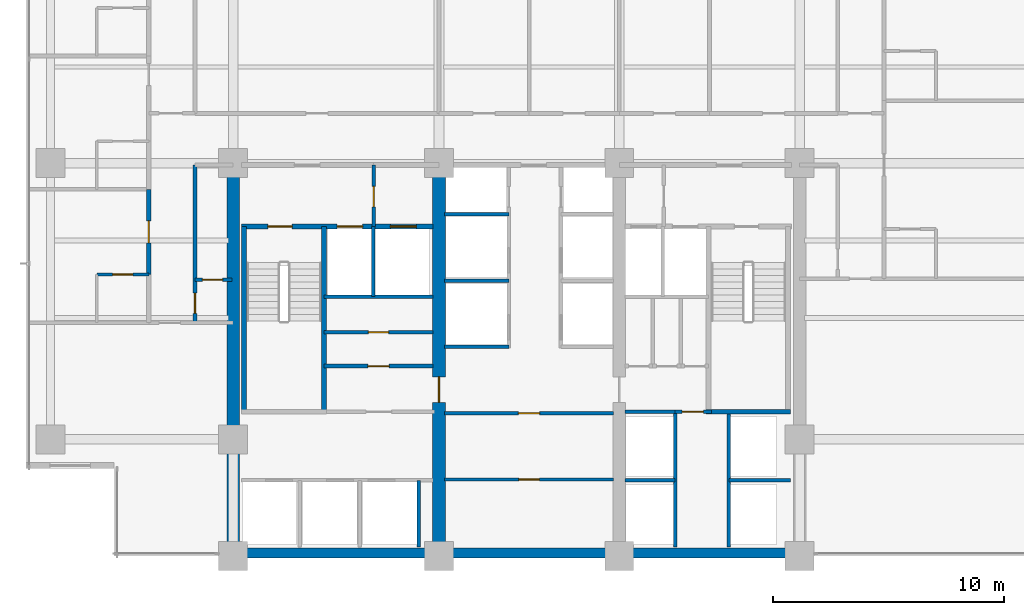
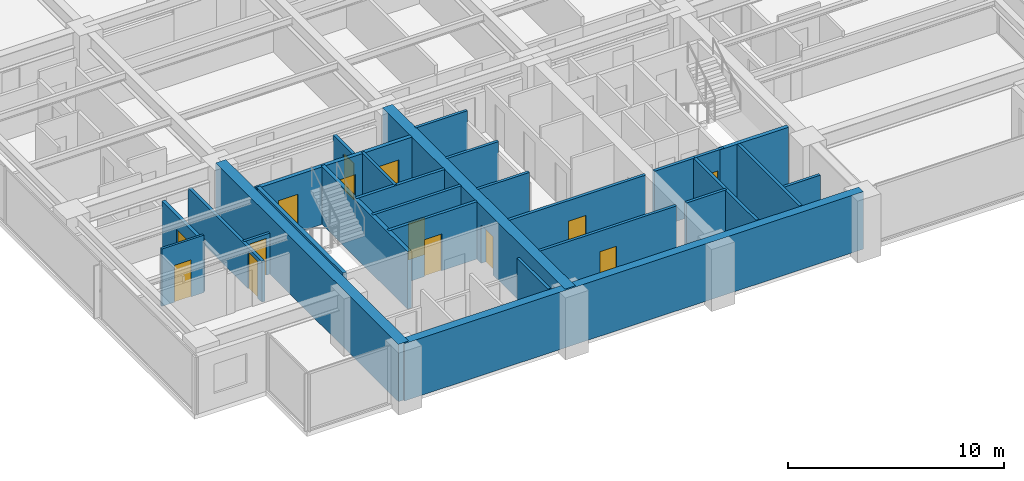
# One storey, part 8 of 17: 28 walls, 14 doors, 14 openings.
"""IFC4 building model written with IfcOpenShell, lengths in metres."""

from ifc_helpers import new_model, si_unit, direction, frame, frame_2d, origin, place, context, subcontext, project, spatial, rectangle, extrude, material, layer, layer_set, type_object, element, fill, save


model = new_model("IFC4")

# Units and contexts
model_context = context("Model", 3, precision=1e-05, world=origin(), true_north=direction((0.0, 1.0)))
body_context = subcontext(model_context, "Body", "Model", "MODEL_VIEW")
ifc_project = project(units=[si_unit("LENGTHUNIT", "METRE"), si_unit("AREAUNIT", "SQUARE_METRE"), si_unit("VOLUMEUNIT", "CUBIC_METRE"), si_unit("PLANEANGLEUNIT", "RADIAN"), si_unit("MASSUNIT", "GRAM", prefix="KILO")], contexts=[model_context])

# Site, building, storey
site_placement = place(None, origin())
site = spatial("IfcSite", under=ifc_project, at=site_placement, CompositionType="ELEMENT")
building_placement = place(site_placement, origin())
building = spatial("IfcBuilding", under=site, at=building_placement, Name="Qalmaran Belvedere Hotel", CompositionType="ELEMENT")
storey_placement = place(building_placement, frame((0.0, 0.0, 116.199951171875)))
storey = spatial("IfcBuildingStorey", under=building, at=storey_placement, Name="L29", CompositionType="ELEMENT", Elevation=116.199951171875)

# Wall
ifc_material_1 = material(Name="Concrete C60/75", Category="concrete")
ifc_layer_1 = layer(ifc_material_1, 0.550048828125, Name="Concrete C60/75")
ifc_layer_set_1 = layer_set([ifc_layer_1], Name="Concrete C60/75")
wall_type_1 = type_object("IfcWallType", Name="WL-CORE-550-C60", PredefinedType="SHEAR", material=ifc_layer_set_1)
wall_1_placement = place(storey_placement, frame((20.300048828125, 3.5, 0.0), z_axis=(0.0, 0.0, 1.0), x_axis=(0.0, 1.0, 0.0)))
element("IfcWall", 1, at=wall_1_placement, inside=storey, type_object=wall_type_1, Name="L29 West Core Shear Wall", PredefinedType="SHEAR", context=body_context, shape_type="SweptSolid", body=[
    extrude(rectangle(XDim=16.89990234375, YDim=0.550048828125, at=frame_2d((8.449951171875, 0.0))), origin(), (0.0, 0.0, 1.0), 3.239990234375),
])

# Wall, opening, door
wall_2_placement = place(storey_placement, frame((29.199951171875, 3.5, 0.0), z_axis=(0.0, 0.0, 1.0), x_axis=(0.0, 1.0, 0.0)))
wall_2 = element("IfcWall", 2, at=wall_2_placement, inside=storey, type_object=wall_type_1, Name="L29 Core West Spine Shear Wall", PredefinedType="SHEAR", context=body_context, shape_type="SweptSolid", body=[
    extrude(rectangle(XDim=16.89990234375, YDim=0.550048828125, at=frame_2d((8.449951171875, 0.0))), origin(), (0.0, 0.0, 1.0), 3.239990234375),
])
opening_1_placement = place(wall_2_placement, frame((7.75, 0.0, 0.0), z_axis=(0.0, 0.0, 1.0), x_axis=(-1.0, 0.0, 0.0)))
opening_1 = element("IfcOpeningElement", 3, at=opening_1_placement, cuts=wall_2, Name="Opening FD90", PredefinedType="OPENING", context=body_context, shape_type="SweptSolid", body=[
    extrude(rectangle(XDim=1.10009765625, YDim=2.14990234375, at=frame_2d((0.550048828125, 1.074951171875))), frame((0.0, 0.28515625, 0.0), z_axis=(0.0, -1.0, 0.0), x_axis=(1.0, 0.0, 0.0)), (0.0, 0.0, 1.0), 0.570068359375),
])
ifc_material_2 = material(Name="Steel S355JR", Category="steel")
door_type_1 = type_object("IfcDoorType", Name="DR-FD90-1100X2150", OperationType="NOTDEFINED", PredefinedType="DOOR", material=ifc_material_2)
door_1_placement = place(opening_1_placement, origin())
door_1 = element("IfcDoor", 4, at=door_1_placement, inside=storey, type_object=door_type_1, Name="L29 Core West Cross-Lobby Door", OperationType="SINGLE_SWING_LEFT", OverallHeight=2.14990234375, OverallWidth=1.10009765625, PredefinedType="DOOR", context=body_context, shape_type="SweptSolid", body=[
    extrude(rectangle(XDim=1.10009765625, YDim=2.14990234375, at=frame_2d((0.550048828125, 1.074951171875))), frame((0.0, 0.02490234375, 0.0), z_axis=(0.0, -1.0, 0.0), x_axis=(1.0, 0.0, 0.0)), (0.0, 0.0, 1.0), 0.050048828125),
])
fill(opening_1, door_1)

# Wall
ifc_material_3 = material(Name="Concrete C50/60", Category="concrete")
ifc_layer_2 = layer(ifc_material_3, 0.43994140625, Name="Concrete C50/60")
ifc_layer_set_2 = layer_set([ifc_layer_2], Name="Concrete C50/60")
wall_type_2 = type_object("IfcWallType", Name="WL-CORES-440-EXT", PredefinedType="SHEAR", material=ifc_layer_set_2)
wall_3_placement = place(storey_placement, frame((20.300048828125, 3.6298828125, 0.0), z_axis=(0.0, 0.0, 1.0), x_axis=(1.0, 0.0, 0.0)))
element("IfcWall", 5, at=wall_3_placement, inside=storey, type_object=wall_type_2, Name="L29 South Core Shear Wall", PredefinedType="SHEAR", context=body_context, shape_type="SweptSolid", body=[
    extrude(rectangle(XDim=24.5, YDim=0.43994140625, at=frame_2d((12.25, 0.0))), origin(), (0.0, 0.0, 1.0), 3.239990234375),
])

# Wall, opening, door
ifc_material_4 = material(Name="Moisture-Resistant Gypsum")
ifc_layer_3 = layer(ifc_material_4, 0.1201171875, Name="Moisture-Resistant Gypsum")
ifc_layer_set_3 = layer_set([ifc_layer_3], Name="Moisture-Resistant Gypsum")
wall_type_3 = type_object("IfcWallType", Name="WL-INT-120-BATH", PredefinedType="PARTITIONING", material=ifc_layer_set_3)
wall_4_placement = place(storey_placement, frame((14.39990234375, 15.679931640625, 0.0), z_axis=(0.0, 0.0, 1.0), x_axis=(1.0, 0.0, 0.0)))
wall_4 = element("IfcWall", 6, at=wall_4_placement, inside=storey, type_object=wall_type_3, Name="L29 Partition WL-L29-WBN00", PredefinedType="PARTITIONING", context=body_context, shape_type="SweptSolid", body=[
    extrude(rectangle(XDim=2.25, YDim=0.1201171875, at=frame_2d((1.125, 0.0))), origin(), (0.0, 0.0, 1.0), 3.239990234375),
])
opening_2_placement = place(wall_4_placement, frame((1.56494140625, 0.0, 0.0), z_axis=(0.0, 0.0, 1.0), x_axis=(-1.0, 0.0, 0.0)))
opening_2 = element("IfcOpeningElement", 7, at=opening_2_placement, cuts=wall_4, Name="Opening D-BATH", PredefinedType="OPENING", context=body_context, shape_type="SweptSolid", body=[
    extrude(rectangle(XDim=0.8798828125, YDim=2.080078125, at=frame_2d((0.43994140625, 1.0400390625))), frame((0.0, 0.070068359375, 0.0), z_axis=(0.0, -1.0, 0.0), x_axis=(1.0, 0.0, 0.0)), (0.0, 0.0, 1.0), 0.14013671875),
])
ifc_material_5 = material(Name="Engineered Oak Veneer")
door_type_2 = type_object("IfcDoorType", Name="DR-INT-BATH-880X2080", OperationType="NOTDEFINED", PredefinedType="DOOR", material=ifc_material_5)
door_2_placement = place(opening_2_placement, origin())
door_2 = element("IfcDoor", 8, at=door_2_placement, inside=storey, type_object=door_type_2, Name="L29 W Ensuite Door 01", OperationType="SINGLE_SWING_RIGHT", OverallHeight=2.080078125, OverallWidth=0.8798828125, PredefinedType="DOOR", context=body_context, shape_type="SweptSolid", body=[
    extrude(rectangle(XDim=0.8798828125, YDim=2.080078125, at=frame_2d((0.43994140625, 1.0400390625))), frame((0.0, 0.02490234375, 0.0), z_axis=(0.0, -1.0, 0.0), x_axis=(1.0, 0.0, 0.0)), (0.0, 0.0, 1.0), 0.050048828125),
])
fill(opening_2, door_2)

ifc_material_6 = material(Name="Gypsum Stud Partition")
ifc_layer_4 = layer(ifc_material_6, 0.139892578125, Name="Gypsum Stud Partition")
ifc_layer_set_4 = layer_set([ifc_layer_4], Name="Gypsum Stud Partition")
wall_type_4 = type_object("IfcWallType", Name="WL-INT-140-NR", PredefinedType="PARTITIONING", material=ifc_layer_set_4)
wall_5_placement = place(storey_placement, frame((18.64990234375, 15.449951171875, 0.0), z_axis=(0.0, 0.0, 1.0), x_axis=(1.0, 0.0, 0.0)))
wall_5 = element("IfcWall", 9, at=wall_5_placement, inside=storey, type_object=wall_type_4, Name="L29 Partition WL-L29-WCLSUB", PredefinedType="PARTITIONING", context=body_context, shape_type="SweptSolid", body=[
    extrude(rectangle(XDim=1.60009765625, YDim=0.139892578125, at=frame_2d((0.800048828125, 0.0))), origin(), (0.0, 0.0, 1.0), 2.31298828125),
])
opening_3_placement = place(wall_5_placement, frame((1.193115234375, 0.0, 0.0), z_axis=(0.0, 0.0, 1.0), x_axis=(-1.0, 0.0, 0.0)))
opening_3 = element("IfcOpeningElement", 10, at=opening_3_placement, cuts=wall_5, Name="Opening D-BATH", PredefinedType="OPENING", context=body_context, shape_type="SweptSolid", body=[
    extrude(rectangle(XDim=0.8798828125, YDim=2.080078125, at=frame_2d((0.43994140625, 1.0400390625))), frame((0.0, 0.080078125, 0.0), z_axis=(0.0, -1.0, 0.0), x_axis=(1.0, 0.0, 0.0)), (0.0, 0.0, 1.0), 0.159912109375),
])
door_3_placement = place(opening_3_placement, origin())
door_3 = element("IfcDoor", 11, at=door_3_placement, inside=storey, type_object=door_type_2, Name="L29 Closet Alcove Door", OperationType="SINGLE_SWING_LEFT", OverallHeight=2.080078125, OverallWidth=0.8798828125, PredefinedType="DOOR", context=body_context, shape_type="SweptSolid", body=[
    extrude(rectangle(XDim=0.8798828125, YDim=2.080078125, at=frame_2d((0.43994140625, 1.0400390625))), frame((0.0, 0.02490234375, 0.0), z_axis=(0.0, -1.0, 0.0), x_axis=(1.0, 0.0, 0.0)), (0.0, 0.0, 1.0), 0.050048828125),
])
fill(opening_3, door_3)

# Walls
ifc_layer_5 = layer(ifc_material_6, 0.14990234375, Name="Gypsum Stud Partition")
ifc_layer_set_5 = layer_set([ifc_layer_5], Name="Gypsum Stud Partition")
wall_type_5 = type_object("IfcWallType", Name="WL-INT-150-EI120", PredefinedType="PARTITIONING", material=ifc_layer_set_5)
wall_6_placement = place(storey_placement, frame((26.360107421875, 14.719970703125, 0.0), z_axis=(0.0, 0.0, 1.0), x_axis=(0.0, 1.0, 0.0)))
element("IfcWall", 12, at=wall_6_placement, inside=storey, type_object=wall_type_5, Name="L29 Partition WL-FF1M-L29", PredefinedType="PARTITIONING", context=body_context, shape_type="SweptSolid", body=[
    extrude(rectangle(XDim=3.0400390625, YDim=0.14990234375, at=frame_2d((1.52001953125, 0.0))), origin(), (0.0, 0.0, 1.0), 3.239990234375),
])
wall_7_placement = place(storey_placement, frame((28.320068359375, 3.89990234375, 0.0), z_axis=(0.0, 0.0, 1.0), x_axis=(0.0, 1.0, 0.0)))
element("IfcWall", 13, at=wall_7_placement, inside=storey, type_object=wall_type_5, Name="L29 Partition WL-POM3-L29", PredefinedType="PARTITIONING", context=body_context, shape_type="SweptSolid", body=[
    extrude(rectangle(XDim=2.880126953125, YDim=0.14990234375, at=frame_2d((1.43994140625, 0.0))), origin(), (0.0, 0.0, 1.0), 3.239990234375),
])
wall_8_placement = place(storey_placement, frame((37.25, 6.780029296875, 0.0), z_axis=(0.0, 0.0, 1.0), x_axis=(1.0, 0.0, 0.0)))
element("IfcWall", 14, at=wall_8_placement, inside=storey, type_object=wall_type_5, Name="L29 Partition WL-PHMW-L29", PredefinedType="PARTITIONING", context=body_context, shape_type="SweptSolid", body=[
    extrude(rectangle(XDim=2.169921875, YDim=0.14990234375, at=frame_2d((1.0849609375, 0.0))), origin(), (0.0, 0.0, 1.0), 3.239990234375),
])
wall_9_placement = place(storey_placement, frame((41.739990234375, 6.780029296875, 0.0), z_axis=(0.0, 0.0, 1.0), x_axis=(1.0, 0.0, 0.0)))
element("IfcWall", 15, at=wall_9_placement, inside=storey, type_object=wall_type_5, Name="L29 Partition WL-PHME-L29", PredefinedType="PARTITIONING", context=body_context, shape_type="SweptSolid", body=[
    extrude(rectangle(XDim=2.659912109375, YDim=0.14990234375, at=frame_2d((1.330078125, 0.0))), origin(), (0.0, 0.0, 1.0), 2.31298828125),
])
for number, where, z_axis, x_axis, name in (
    (16, (29.449951171875, 12.550048828125, 0.0), (0.0, 0.0, 1.0), (1.0, 0.0, 0.0), "L29 Partition WL-PMW-L29-125"),
    (17, (29.449951171875, 15.419921875, 0.0), (0.0, 0.0, 1.0), (1.0, 0.0, 0.0), "L29 Partition WL-PMW-L29-154"),
    (18, (29.449951171875, 18.280029296875, 0.0), (0.0, 0.0, 1.0), (1.0, 0.0, 0.0), "L29 Partition WL-PMW-L29-182"),
):
    element("IfcWall", number, at=place(storey_placement, frame(where, z_axis=z_axis, x_axis=x_axis)), inside=storey, type_object=wall_type_5, Name=name, PredefinedType="PARTITIONING", context=body_context, shape_type="SweptSolid", body=[
        extrude(rectangle(XDim=2.77001953125, YDim=0.14990234375, at=frame_2d((1.385009765625, 0.0))), origin(), (0.0, 0.0, 1.0), 3.239990234375),
    ])

# Wall, opening, door
ifc_layer_6 = layer(ifc_material_6, 0.14990234375, Name="Gypsum Stud Partition")
ifc_layer_set_6 = layer_set([ifc_layer_6], Name="Gypsum Stud Partition")
wall_type_6 = type_object("IfcWallType", Name="WL-INT-150-EI60", PredefinedType="PARTITIONING", material=ifc_layer_set_6)
wall_10_placement = place(storey_placement, frame((24.219970703125, 13.18505859375, 0.0), z_axis=(0.0, 0.0, 1.0), x_axis=(1.0, 0.0, 0.0)))
wall_10 = element("IfcWall", 19, at=wall_10_placement, inside=storey, type_object=wall_type_6, Name="L29 Partition WL-L29-KWHM", PredefinedType="PARTITIONING", context=body_context, shape_type="SweptSolid", body=[
    extrude(rectangle(XDim=4.72998046875, YDim=0.14990234375, at=frame_2d((2.364990234375, 0.0))), origin(), (0.0, 0.0, 1.0), 3.239990234375),
])
opening_4_placement = place(wall_10_placement, frame((1.925048828125, 0.0, 0.0)))
opening_4 = element("IfcOpeningElement", 20, at=opening_4_placement, cuts=wall_10, Name="Opening FD60B", PredefinedType="OPENING", context=body_context, shape_type="SweptSolid", body=[
    extrude(rectangle(XDim=0.8798828125, YDim=2.080078125, at=frame_2d((0.43994140625, 1.0400390625))), frame((0.0, 0.0849609375, 0.0), z_axis=(0.0, -1.0, 0.0), x_axis=(1.0, 0.0, 0.0)), (0.0, 0.0, 1.0), 0.169921875),
])
door_type_3 = type_object("IfcDoorType", Name="DR-FD60B-880X2080", OperationType="NOTDEFINED", PredefinedType="DOOR", material=ifc_material_2)
door_4_placement = place(opening_4_placement, origin())
door_4 = element("IfcDoor", 21, at=door_4_placement, inside=storey, type_object=door_type_3, Name="L29 Staff Core WC Door", OperationType="SINGLE_SWING_LEFT", OverallHeight=2.080078125, OverallWidth=0.8798828125, PredefinedType="DOOR", context=body_context, shape_type="SweptSolid", body=[
    extrude(rectangle(XDim=0.8798828125, YDim=2.080078125, at=frame_2d((0.43994140625, 1.0400390625))), frame((0.0, 0.02490234375, 0.0), z_axis=(0.0, -1.0, 0.0), x_axis=(1.0, 0.0, 0.0)), (0.0, 0.0, 1.0), 0.050048828125),
])
fill(opening_4, door_4)

wall_11_placement = place(storey_placement, frame((29.449951171875, 6.81494140625, 0.0), z_axis=(0.0, 0.0, 1.0), x_axis=(1.0, 0.0, 0.0)))
wall_11 = element("IfcWall", 22, at=wall_11_placement, inside=storey, type_object=wall_type_6, Name="L29 Partition WL-L29-KPLHM", PredefinedType="PARTITIONING", context=body_context, shape_type="SweptSolid", body=[
    extrude(rectangle(XDim=7.300048828125, YDim=0.14990234375, at=frame_2d((3.64990234375, 0.0))), origin(), (0.0, 0.0, 1.0), 3.239990234375),
])
opening_5_placement = place(wall_11_placement, frame((4.08984375, 0.0, 0.0), z_axis=(0.0, 0.0, 1.0), x_axis=(-1.0, 0.0, 0.0)))
opening_5 = element("IfcOpeningElement", 23, at=opening_5_placement, cuts=wall_11, Name="Opening FD60B", PredefinedType="OPENING", context=body_context, shape_type="SweptSolid", body=[
    extrude(rectangle(XDim=0.8798828125, YDim=2.080078125, at=frame_2d((0.43994140625, 1.0400390625))), frame((0.0, 0.0849609375, 0.0), z_axis=(0.0, -1.0, 0.0), x_axis=(1.0, 0.0, 0.0)), (0.0, 0.0, 1.0), 0.169921875),
])
door_5_placement = place(opening_5_placement, origin())
door_5 = element("IfcDoor", 24, at=door_5_placement, inside=storey, type_object=door_type_3, Name="L29 Housekeeping and Linen Room Door", OperationType="SINGLE_SWING_RIGHT", OverallHeight=2.080078125, OverallWidth=0.8798828125, PredefinedType="DOOR", context=body_context, shape_type="SweptSolid", body=[
    extrude(rectangle(XDim=0.8798828125, YDim=2.080078125, at=frame_2d((0.43994140625, 1.0400390625))), frame((0.0, 0.02490234375, 0.0), z_axis=(0.0, -1.0, 0.0), x_axis=(1.0, 0.0, 0.0)), (0.0, 0.0, 1.0), 0.050048828125),
])
fill(opening_5, door_5)

ifc_layer_7 = layer(ifc_material_6, 0.159912109375, Name="Gypsum Stud Partition")
ifc_layer_set_7 = layer_set([ifc_layer_7], Name="Gypsum Stud Partition")
wall_type_7 = type_object("IfcWallType", Name="WL-INT-160-EI120", PredefinedType="PARTITIONING", material=ifc_layer_set_7)
wall_12_placement = place(storey_placement, frame((26.3798828125, 17.760009765625, 0.0), z_axis=(0.0, 0.0, 1.0), x_axis=(0.0, 1.0, 0.0)))
wall_12 = element("IfcWall", 25, at=wall_12_placement, inside=storey, type_object=wall_type_7, Name="L29 Partition WL-FFSV1-L29", PredefinedType="PARTITIONING", context=body_context, shape_type="SweptSolid", body=[
    extrude(rectangle(XDim=2.659912109375, YDim=0.159912109375, at=frame_2d((1.330078125, 0.0))), origin(), (0.0, 0.0, 1.0), 2.614013671875),
])
opening_6_placement = place(wall_12_placement, frame((0.85009765625, 0.0, 0.0)))
opening_6 = element("IfcOpeningElement", 26, at=opening_6_placement, cuts=wall_12, Name="Opening FD60B", PredefinedType="OPENING", context=body_context, shape_type="SweptSolid", body=[
    extrude(rectangle(XDim=0.8798828125, YDim=2.080078125, at=frame_2d((0.43994140625, 1.0400390625))), frame((0.0, 0.08984375, 0.0), z_axis=(0.0, -1.0, 0.0), x_axis=(1.0, 0.0, 0.0)), (0.0, 0.0, 1.0), 0.179931640625),
])
door_6_placement = place(opening_6_placement, origin())
door_6 = element("IfcDoor", 27, at=door_6_placement, inside=storey, type_object=door_type_3, Name="L29 Service Lobby West Door", OperationType="SINGLE_SWING_LEFT", OverallHeight=2.080078125, OverallWidth=0.8798828125, PredefinedType="DOOR", context=body_context, shape_type="SweptSolid", body=[
    extrude(rectangle(XDim=0.8798828125, YDim=2.080078125, at=frame_2d((0.43994140625, 1.0400390625))), frame((0.0, 0.02490234375, 0.0), z_axis=(0.0, -1.0, 0.0), x_axis=(1.0, 0.0, 0.0)), (0.0, 0.0, 1.0), 0.050048828125),
])
fill(opening_6, door_6)

# Walls
wall_13_placement = place(storey_placement, frame((24.219970703125, 14.719970703125, 0.0), z_axis=(0.0, 0.0, 1.0), x_axis=(1.0, 0.0, 0.0)))
element("IfcWall", 28, at=wall_13_placement, inside=storey, type_object=wall_type_7, Name="L29 Partition WL-FF1S-L29", PredefinedType="PARTITIONING", context=body_context, shape_type="SweptSolid", body=[
    extrude(rectangle(XDim=4.72998046875, YDim=0.159912109375, at=frame_2d((2.364990234375, 0.0))), origin(), (0.0, 0.0, 1.0), 3.239990234375),
])
for number, where, z_axis, x_axis, name in (
    (29, (39.419921875, 3.89990234375, 0.0), (0.0, 0.0, 1.0), (0.0, 1.0, 0.0), "L29 Partition WL-PHW-L29"),
    (30, (41.739990234375, 3.89990234375, 0.0), (0.0, 0.0, 1.0), (0.0, 1.0, 0.0), "L29 Partition WL-PHE-L29"),
):
    element("IfcWall", number, at=place(storey_placement, frame(where, z_axis=z_axis, x_axis=x_axis)), inside=storey, type_object=wall_type_7, Name=name, PredefinedType="PARTITIONING", context=body_context, shape_type="SweptSolid", body=[
        extrude(rectangle(XDim=5.840087890625, YDim=0.159912109375, at=frame_2d((2.919921875, 0.0))), origin(), (0.0, 0.0, 1.0), 3.239990234375),
    ])
wall_14_placement = place(storey_placement, frame((37.25, 9.739990234375, 0.0), z_axis=(0.0, 0.0, 1.0), x_axis=(1.0, 0.0, 0.0)))
element("IfcWall", 31, at=wall_14_placement, inside=storey, type_object=wall_type_7, Name="L29 Partition WL-PHNW-L29", PredefinedType="PARTITIONING", context=body_context, shape_type="SweptSolid", body=[
    extrude(rectangle(XDim=2.169921875, YDim=0.159912109375, at=frame_2d((1.0849609375, 0.0))), origin(), (0.0, 0.0, 1.0), 3.239990234375),
])

# Wall, opening, door
wall_15_placement = place(storey_placement, frame((39.419921875, 9.739990234375, 0.0), z_axis=(0.0, 0.0, 1.0), x_axis=(1.0, 0.0, 0.0)))
wall_15 = element("IfcWall", 32, at=wall_15_placement, inside=storey, type_object=wall_type_7, Name="L29 Partition WL-PHNL-L29", PredefinedType="PARTITIONING", context=body_context, shape_type="SweptSolid", body=[
    extrude(rectangle(XDim=1.56005859375, YDim=0.159912109375, at=frame_2d((0.780029296875, 0.0))), origin(), (0.0, 0.0, 1.0), 3.239990234375),
])
opening_7_placement = place(wall_15_placement, frame((0.300048828125, 0.0, 0.0)))
opening_7 = element("IfcOpeningElement", 33, at=opening_7_placement, cuts=wall_15, Name="Opening FD60S1", PredefinedType="OPENING", context=body_context, shape_type="SweptSolid", body=[
    extrude(rectangle(XDim=0.919921875, YDim=2.080078125, at=frame_2d((0.4599609375, 1.0400390625))), frame((0.0, 0.08984375, 0.0), z_axis=(0.0, -1.0, 0.0), x_axis=(1.0, 0.0, 0.0)), (0.0, 0.0, 1.0), 0.179931640625),
])
door_type_4 = type_object("IfcDoorType", Name="DR-FD60S-920X2080", OperationType="NOTDEFINED", PredefinedType="DOOR", material=ifc_material_5)
door_7_placement = place(opening_7_placement, origin())
door_7 = element("IfcDoor", 34, at=door_7_placement, inside=storey, type_object=door_type_4, Name="L29 High-Rise Lift Lobby Passage Door", OperationType="SINGLE_SWING_RIGHT", OverallHeight=2.080078125, OverallWidth=0.919921875, PredefinedType="DOOR", context=body_context, shape_type="SweptSolid", body=[
    extrude(rectangle(XDim=0.919921875, YDim=2.080078125, at=frame_2d((0.4599609375, 1.0400390625))), frame((0.0, 0.02490234375, 0.0), z_axis=(0.0, -1.0, 0.0), x_axis=(1.0, 0.0, 0.0)), (0.0, 0.0, 1.0), 0.050048828125),
])
fill(opening_7, door_7)

ifc_layer_8 = layer(ifc_material_6, 0.159912109375, Name="Gypsum Stud Partition")
ifc_layer_set_8 = layer_set([ifc_layer_8], Name="Gypsum Stud Partition")
wall_type_8 = type_object("IfcWallType", Name="WL-INT-160-EI60", PredefinedType="PARTITIONING", material=ifc_layer_set_8)
wall_16_placement = place(storey_placement, frame((24.219970703125, 11.719970703125, 0.0), z_axis=(0.0, 0.0, 1.0), x_axis=(1.0, 0.0, 0.0)))
wall_16 = element("IfcWall", 35, at=wall_16_placement, inside=storey, type_object=wall_type_8, Name="L29 Partition WL-L29-KWE1", PredefinedType="PARTITIONING", context=body_context, shape_type="SweptSolid", body=[
    extrude(rectangle(XDim=4.72998046875, YDim=0.159912109375, at=frame_2d((2.364990234375, 0.0))), origin(), (0.0, 0.0, 1.0), 3.239990234375),
])
opening_8_placement = place(wall_16_placement, frame((1.905029296875, 0.0, 0.0)))
opening_8 = element("IfcOpeningElement", 36, at=opening_8_placement, cuts=wall_16, Name="Opening FD60S1", PredefinedType="OPENING", context=body_context, shape_type="SweptSolid", body=[
    extrude(rectangle(XDim=0.919921875, YDim=2.080078125, at=frame_2d((0.4599609375, 1.0400390625))), frame((0.0, 0.08984375, 0.0), z_axis=(0.0, -1.0, 0.0), x_axis=(1.0, 0.0, 0.0)), (0.0, 0.0, 1.0), 0.179931640625),
])
door_8_placement = place(opening_8_placement, origin())
door_8 = element("IfcDoor", 37, at=door_8_placement, inside=storey, type_object=door_type_4, Name="L29 Cleaner Supply Store Door", OperationType="SINGLE_SWING_RIGHT", OverallHeight=2.080078125, OverallWidth=0.919921875, PredefinedType="DOOR", context=body_context, shape_type="SweptSolid", body=[
    extrude(rectangle(XDim=0.919921875, YDim=2.080078125, at=frame_2d((0.4599609375, 1.0400390625))), frame((0.0, 0.02490234375, 0.0), z_axis=(0.0, -1.0, 0.0), x_axis=(1.0, 0.0, 0.0)), (0.0, 0.0, 1.0), 0.050048828125),
])
fill(opening_8, door_8)

wall_17_placement = place(storey_placement, frame((29.449951171875, 9.679931640625, 0.0), z_axis=(0.0, 0.0, 1.0), x_axis=(1.0, 0.0, 0.0)))
wall_17 = element("IfcWall", 38, at=wall_17_placement, inside=storey, type_object=wall_type_8, Name="L29 Partition WL-L29-KPLE1", PredefinedType="PARTITIONING", context=body_context, shape_type="SweptSolid", body=[
    extrude(rectangle(XDim=7.300048828125, YDim=0.159912109375, at=frame_2d((3.64990234375, 0.0))), origin(), (0.0, 0.0, 1.0), 3.239990234375),
])
opening_9_placement = place(wall_17_placement, frame((4.10986328125, 0.0, 0.0), z_axis=(0.0, 0.0, 1.0), x_axis=(-1.0, 0.0, 0.0)))
opening_9 = element("IfcOpeningElement", 39, at=opening_9_placement, cuts=wall_17, Name="Opening FD60S1", PredefinedType="OPENING", context=body_context, shape_type="SweptSolid", body=[
    extrude(rectangle(XDim=0.919921875, YDim=2.080078125, at=frame_2d((0.4599609375, 1.0400390625))), frame((0.0, 0.08984375, 0.0), z_axis=(0.0, -1.0, 0.0), x_axis=(1.0, 0.0, 0.0)), (0.0, 0.0, 1.0), 0.179931640625),
])
door_9_placement = place(opening_9_placement, origin())
door_9 = element("IfcDoor", 40, at=door_9_placement, inside=storey, type_object=door_type_4, Name="L29 Guest Valet Supply Store Door", OperationType="SINGLE_SWING_LEFT", OverallHeight=2.080078125, OverallWidth=0.919921875, PredefinedType="DOOR", context=body_context, shape_type="SweptSolid", body=[
    extrude(rectangle(XDim=0.919921875, YDim=2.080078125, at=frame_2d((0.4599609375, 1.0400390625))), frame((0.0, 0.02490234375, 0.0), z_axis=(0.0, -1.0, 0.0), x_axis=(1.0, 0.0, 0.0)), (0.0, 0.0, 1.0), 0.050048828125),
])
fill(opening_9, door_9)

wall_18_placement = place(storey_placement, frame((18.64990234375, 13.60009765625, 0.0), z_axis=(0.0, 0.0, 1.0), x_axis=(0.0, 1.0, 0.0)))
wall_18 = element("IfcWall", 41, at=wall_18_placement, inside=storey, type_object=wall_type_8, Name="L29 Partition WL-L29-WCL", PredefinedType="PARTITIONING", context=body_context, shape_type="SweptSolid", body=[
    extrude(rectangle(XDim=6.81982421875, YDim=0.159912109375, at=frame_2d((3.409912109375, 0.0))), origin(), (0.0, 0.0, 1.0), 2.31298828125),
])
opening_10_placement = place(wall_18_placement, frame((1.27978515625, 0.0, 0.0), z_axis=(0.0, 0.0, 1.0), x_axis=(-1.0, 0.0, 0.0)))
opening_10 = element("IfcOpeningElement", 42, at=opening_10_placement, cuts=wall_18, Name="Opening FD60B", PredefinedType="OPENING", context=body_context, shape_type="SweptSolid", body=[
    extrude(rectangle(XDim=0.8798828125, YDim=2.080078125, at=frame_2d((0.43994140625, 1.0400390625))), frame((0.0, 0.08984375, 0.0), z_axis=(0.0, -1.0, 0.0), x_axis=(1.0, 0.0, 0.0)), (0.0, 0.0, 1.0), 0.179931640625),
])
door_10_placement = place(opening_10_placement, origin())
door_10 = element("IfcDoor", 43, at=door_10_placement, inside=storey, type_object=door_type_3, Name="L29 West Closet Door", OperationType="SINGLE_SWING_LEFT", OverallHeight=2.080078125, OverallWidth=0.8798828125, PredefinedType="DOOR", context=body_context, shape_type="SweptSolid", body=[
    extrude(rectangle(XDim=0.8798828125, YDim=2.080078125, at=frame_2d((0.43994140625, 1.0400390625))), frame((0.0, 0.02490234375, 0.0), z_axis=(0.0, -1.0, 0.0), x_axis=(1.0, 0.0, 0.0)), (0.0, 0.0, 1.0), 0.050048828125),
])
fill(opening_10, door_10)

ifc_layer_9 = layer(ifc_material_6, 0.179931640625, Name="Gypsum Stud Partition")
ifc_layer_set_9 = layer_set([ifc_layer_9], Name="Gypsum Stud Partition")
wall_type_9 = type_object("IfcWallType", Name="WL-INT-180-EI60", PredefinedType="PARTITIONING", material=ifc_layer_set_9)
wall_19_placement = place(storey_placement, frame((16.64990234375, 15.679931640625, 0.0), z_axis=(0.0, 0.0, 1.0), x_axis=(0.0, 1.0, 0.0)))
wall_19 = element("IfcWall", 44, at=wall_19_placement, inside=storey, type_object=wall_type_9, Name="L29 Partition WL-L29-WEC00", PredefinedType="PARTITIONING", context=body_context, shape_type="SweptSolid", body=[
    extrude(rectangle(XDim=3.686767578125, YDim=0.179931640625, at=frame_2d((1.84326171875, 0.0))), origin(), (0.0, 0.0, 1.0), 2.922119140625),
])
opening_11_placement = place(wall_19_placement, frame((1.368408203125, 0.0, 0.0)))
opening_11 = element("IfcOpeningElement", 45, at=opening_11_placement, cuts=wall_19, Name="Opening FD60", PredefinedType="OPENING", context=body_context, shape_type="SweptSolid", body=[
    extrude(rectangle(XDim=0.949951171875, YDim=2.14990234375, at=frame_2d((0.47509765625, 1.074951171875))), frame((0.0, 0.10009765625, 0.0), z_axis=(0.0, -1.0, 0.0), x_axis=(1.0, 0.0, 0.0)), (0.0, 0.0, 1.0), 0.199951171875),
])
door_type_5 = type_object("IfcDoorType", Name="DR-FD60-950X2150", OperationType="NOTDEFINED", PredefinedType="DOOR", material=ifc_material_5)
door_11_placement = place(opening_11_placement, origin())
door_11 = element("IfcDoor", 46, at=door_11_placement, inside=storey, type_object=door_type_5, Name="L29 W Wing Door 01", OperationType="SINGLE_SWING_LEFT", OverallHeight=2.14990234375, OverallWidth=0.949951171875, PredefinedType="DOOR", context=body_context, shape_type="SweptSolid", body=[
    extrude(rectangle(XDim=0.949951171875, YDim=2.14990234375, at=frame_2d((0.47509765625, 1.074951171875))), frame((0.0, 0.02490234375, 0.0), z_axis=(0.0, -1.0, 0.0), x_axis=(1.0, 0.0, 0.0)), (0.0, 0.0, 1.0), 0.050048828125),
])
fill(opening_11, door_11)

# Walls
ifc_layer_10 = layer(ifc_material_3, 0.2099609375, Name="Concrete C50/60")
ifc_layer_set_10 = layer_set([ifc_layer_10], Name="Concrete C50/60")
wall_type_10 = type_object("IfcWallType", Name="WL-STAIR-210-C50", PredefinedType="SHEAR", material=ifc_layer_set_10)
for number, where, z_axis, x_axis, name in (
    (47, (20.77490234375, 9.7451171875, 0.0), (0.0, 0.0, 1.0), (0.0, 1.0, 0.0), "L29 Stair ST-1 West Bearing Wall"),
    (48, (24.22509765625, 9.7451171875, 0.0), (0.0, 0.0, 1.0), (0.0, 1.0, 0.0), "L29 Stair ST-1 East Bearing Wall"),
):
    element("IfcWall", number, at=place(storey_placement, frame(where, z_axis=z_axis, x_axis=x_axis)), inside=storey, type_object=wall_type_10, Name=name, PredefinedType="SHEAR", context=body_context, shape_type="SweptSolid", body=[
        extrude(rectangle(XDim=8.009765625, YDim=0.2099609375, at=frame_2d((4.0048828125, 0.0))), origin(), (0.0, 0.0, 1.0), 3.239990234375),
    ])

# Wall, openings, doors
wall_20_placement = place(storey_placement, frame((20.64990234375, 17.7548828125, 0.0), z_axis=(0.0, 0.0, 1.0), x_axis=(1.0, 0.0, 0.0)))
wall_20 = element("IfcWall", 49, at=wall_20_placement, inside=storey, type_object=wall_type_10, Name="L29 West Lobby and Stair ST-1 North Bearing Wall", PredefinedType="SHEAR", context=body_context, shape_type="SweptSolid", body=[
    extrude(rectangle(XDim=8.300048828125, YDim=0.2099609375, at=frame_2d((4.14990234375, 0.0))), origin(), (0.0, 0.0, 1.0), 3.239990234375),
])
opening_12_placement = place(wall_20_placement, frame((2.199951171875, 0.0, 0.0), z_axis=(0.0, 0.0, 1.0), x_axis=(-1.0, 0.0, 0.0)))
opening_12 = element("IfcOpeningElement", 50, at=opening_12_placement, cuts=wall_20, Name="Opening FD90S2", PredefinedType="OPENING", context=body_context, shape_type="SweptSolid", body=[
    extrude(rectangle(XDim=1.050048828125, YDim=2.14990234375, at=frame_2d((0.52490234375, 1.074951171875))), frame((0.0, 0.114990234375, 0.0), z_axis=(0.0, -1.0, 0.0), x_axis=(1.0, 0.0, 0.0)), (0.0, 0.0, 1.0), 0.22998046875),
])
opening_13_placement = place(wall_20_placement, frame((4.14990234375, 0.0, 0.0)))
opening_13 = element("IfcOpeningElement", 51, at=opening_13_placement, cuts=wall_20, Name="Opening LD-FF", PredefinedType="OPENING", context=body_context, shape_type="SweptSolid", body=[
    extrude(rectangle(XDim=1.10009765625, YDim=2.179931640625, at=frame_2d((0.550048828125, 1.08984375))), frame((0.0, 0.114990234375, 0.0), z_axis=(0.0, -1.0, 0.0), x_axis=(1.0, 0.0, 0.0)), (0.0, 0.0, 1.0), 0.22998046875),
])
opening_14_placement = place(wall_20_placement, frame((6.449951171875, 0.0, 0.0)))
opening_14 = element("IfcOpeningElement", 52, at=opening_14_placement, cuts=wall_20, Name="Opening LD-SV", PredefinedType="OPENING", context=body_context, shape_type="SweptSolid", body=[
    extrude(rectangle(XDim=1.1201171875, YDim=2.199951171875, at=frame_2d((0.56005859375, 1.10009765625))), frame((0.0, 0.114990234375, 0.0), z_axis=(0.0, -1.0, 0.0), x_axis=(1.0, 0.0, 0.0)), (0.0, 0.0, 1.0), 0.22998046875),
])
door_type_6 = type_object("IfcDoorType", Name="DR-FD90S-1050X2150", OperationType="NOTDEFINED", PredefinedType="DOOR", material=ifc_material_2)
door_12_placement = place(opening_12_placement, origin())
door_12 = element("IfcDoor", 53, at=door_12_placement, inside=storey, type_object=door_type_6, Name="L29 Stair ST-1 Door", OperationType="SINGLE_SWING_LEFT", OverallHeight=2.14990234375, OverallWidth=1.050048828125, PredefinedType="DOOR", context=body_context, shape_type="SweptSolid", body=[
    extrude(rectangle(XDim=1.050048828125, YDim=2.14990234375, at=frame_2d((0.52490234375, 1.074951171875))), frame((0.0, 0.02490234375, 0.0), z_axis=(0.0, -1.0, 0.0), x_axis=(1.0, 0.0, 0.0)), (0.0, 0.0, 1.0), 0.050048828125),
])
fill(opening_12, door_12)
ifc_material_7 = material(Name="Stainless Steel 1.4401", Category="steel")
door_type_7 = type_object("IfcDoorType", Name="DR-LIFT-FF-1100X2180", OperationType="DOUBLE_DOOR_SLIDING", PredefinedType="DOOR", material=ifc_material_7)
door_13_placement = place(opening_13_placement, origin())
door_13 = element("IfcDoor", 54, at=door_13_placement, inside=storey, type_object=door_type_7, Name="L29 FF1 Lift Landing Door", OperationType="DOUBLE_DOOR_SLIDING", OverallHeight=2.179931640625, OverallWidth=1.10009765625, PredefinedType="DOOR", context=body_context, shape_type="SweptSolid", body=[
    extrude(rectangle(XDim=1.10009765625, YDim=2.179931640625, at=frame_2d((0.550048828125, 1.08984375))), frame((0.0, 0.02490234375, 0.0), z_axis=(0.0, -1.0, 0.0), x_axis=(1.0, 0.0, 0.0)), (0.0, 0.0, 1.0), 0.050048828125),
])
fill(opening_13, door_13)
door_type_8 = type_object("IfcDoorType", Name="DR-LIFT-SV-1120X2200", OperationType="DOUBLE_DOOR_SLIDING", PredefinedType="DOOR", material=ifc_material_7)
door_14_placement = place(opening_14_placement, origin())
door_14 = element("IfcDoor", 55, at=door_14_placement, inside=storey, type_object=door_type_8, Name="L29 SV1 Lift Landing Door", OperationType="DOUBLE_DOOR_SLIDING", OverallHeight=2.199951171875, OverallWidth=1.1201171875, PredefinedType="DOOR", context=body_context, shape_type="SweptSolid", body=[
    extrude(rectangle(XDim=1.1201171875, YDim=2.199951171875, at=frame_2d((0.56005859375, 1.10009765625))), frame((0.0, 0.02490234375, 0.0), z_axis=(0.0, -1.0, 0.0), x_axis=(1.0, 0.0, 0.0)), (0.0, 0.0, 1.0), 0.050048828125),
])
fill(opening_14, door_14)

# Wall
wall_21_placement = place(storey_placement, frame((40.75, 9.7451171875, 0.0), z_axis=(0.0, 0.0, 1.0), x_axis=(1.0, 0.0, 0.0)))
element("IfcWall", 56, at=wall_21_placement, inside=storey, type_object=wall_type_10, Name="L29 Stair ST-2 South Bearing Wall", PredefinedType="SHEAR", context=body_context, shape_type="SweptSolid", body=[
    extrude(rectangle(XDim=3.659912109375, YDim=0.2099609375, at=frame_2d((1.830078125, 0.0))), origin(), (0.0, 0.0, 1.0), 3.239990234375),
])

save(model, "model.ifc")
